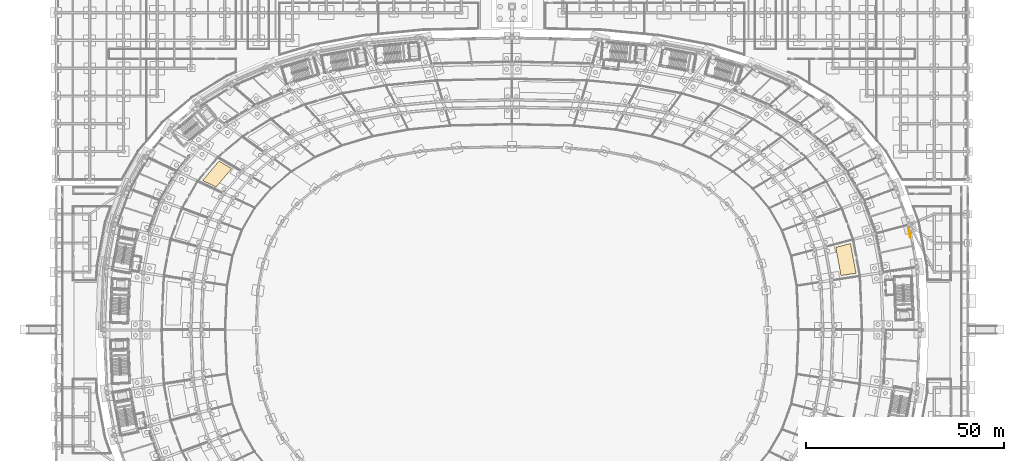
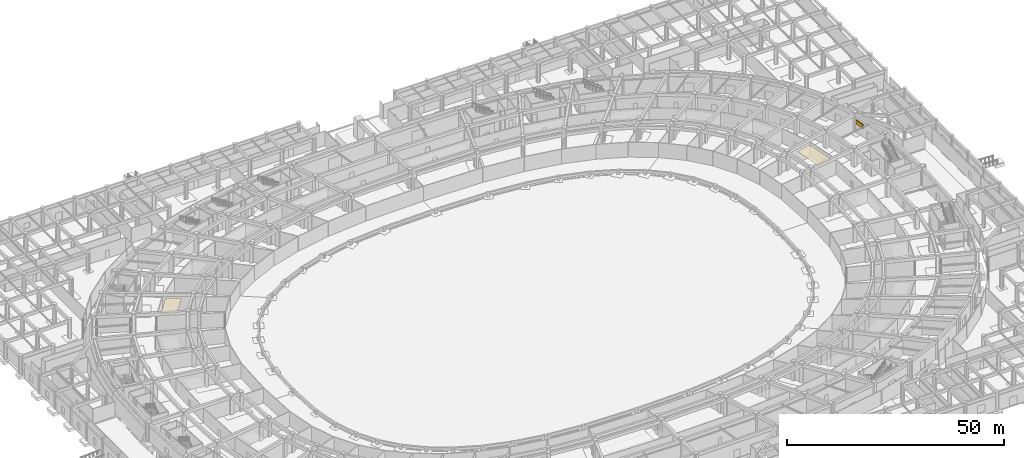
# One storey, part 80 of 88: 2 coverings, 1 shading device.
"""IFC4 building model written with IfcOpenShell, lengths in metres."""

from ifc_helpers import new_model, si_unit, direction, frame, origin, origin_2d, place, context, subcontext, project, spatial, polyline, rectangle, outline, extrude, material, layer, layer_set, type_object, element, save


model = new_model("IFC4")

# Units and contexts
model_context = context("Model", 3, precision=1e-05, world=origin(), true_north=direction((0.0, 1.0)))
body_context = subcontext(model_context, "Body", "Model", "MODEL_VIEW")
ifc_project = project(units=[si_unit("LENGTHUNIT", "METRE"), si_unit("AREAUNIT", "SQUARE_METRE"), si_unit("VOLUMEUNIT", "CUBIC_METRE"), si_unit("PLANEANGLEUNIT", "RADIAN"), si_unit("MASSUNIT", "GRAM", prefix="KILO")], contexts=[model_context])

# Site, building, storey
site_placement = place(None, origin())
site = spatial("IfcSite", under=ifc_project, at=site_placement, CompositionType="ELEMENT")
building_placement = place(site_placement, origin())
building = spatial("IfcBuilding", under=site, at=building_placement, Name="Mphavela Belvedere Stadium", CompositionType="ELEMENT")
storey_placement = place(building_placement, origin())
storey = spatial("IfcBuildingStorey", under=building, at=storey_placement, Name="L00", CompositionType="ELEMENT", Elevation=0.0)

# Coverings
ifc_material_1 = material(Name="Perforated acoustic mineral ceiling tile")
ifc_layer = layer(ifc_material_1, 0.0400390625)
ifc_layer_set = layer_set([ifc_layer], Name="Perforated acoustic mineral ceiling tile")
covering_type = type_object("IfcCoveringType", Name="COV-CEILING-ACOUSTIC", PredefinedType="CEILING", material=ifc_layer_set)
covering_1_placement = place(storey_placement, frame((0.0, 0.0, 4.10009765625)))
element("IfcCovering", 1, at=covering_1_placement, inside=storey, type_object=covering_type, Name="Concourse acoustic ceiling L00-02", PredefinedType="CEILING", context=body_context, shape_type="SweptSolid", body=[
    extrude(outline(polyline([(197.955322265625, 100.692626953125), (196.634033203125, 107.806396484375), (200.353271484375, 108.79248046875), (201.74853515625, 101.281005859375), (197.955322265625, 100.692626953125)])), origin(), (0.0, 0.0, 1.0), 0.039794921875),
])
covering_2_placement = place(storey_placement, frame((0.0, 0.0, 4.10009765625)))
element("IfcCovering", 2, at=covering_2_placement, inside=storey, type_object=covering_type, Name="Concourse acoustic ceiling L00-20", PredefinedType="CEILING", context=body_context, shape_type="SweptSolid", body=[
    extrude(outline(polyline([(44.32080078125, 127.683349609375), (40.402099609375, 123.04248046875), (36.976806640625, 124.663818359375), (41.114990234375, 129.564453125), (44.32080078125, 127.683349609375)])), origin(), (0.0, 0.0, 1.0), 0.039794921875),
])

# Shading device
ifc_material_2 = material(Name="Anodised bronze acoustic ventilation louvre")
shading_device_type = type_object("IfcShadingDeviceType", Name="SHD-LOUVRE-BRZ", PredefinedType="JALOUSIE", material=ifc_material_2)
shading_device_placement = place(storey_placement, frame((215.2626953125, 111.44677734375, 2.5), z_axis=(0.0, 0.0, 1.0), x_axis=(0.182578735093, -0.983191235463, 0.0)))
element("IfcShadingDevice", 3, at=shading_device_placement, inside=storey, type_object=shading_device_type, Name="Concourse plant ventilation louvre LV-01", PredefinedType="JALOUSIE", context=body_context, shape_type="SweptSolid", body=[
    extrude(rectangle(XDim=2.39990234375, YDim=0.219970703125, at=origin_2d()), origin(), (0.0, 0.0, 1.0), 1.199951171875),
])

save(model, "model.ifc")
